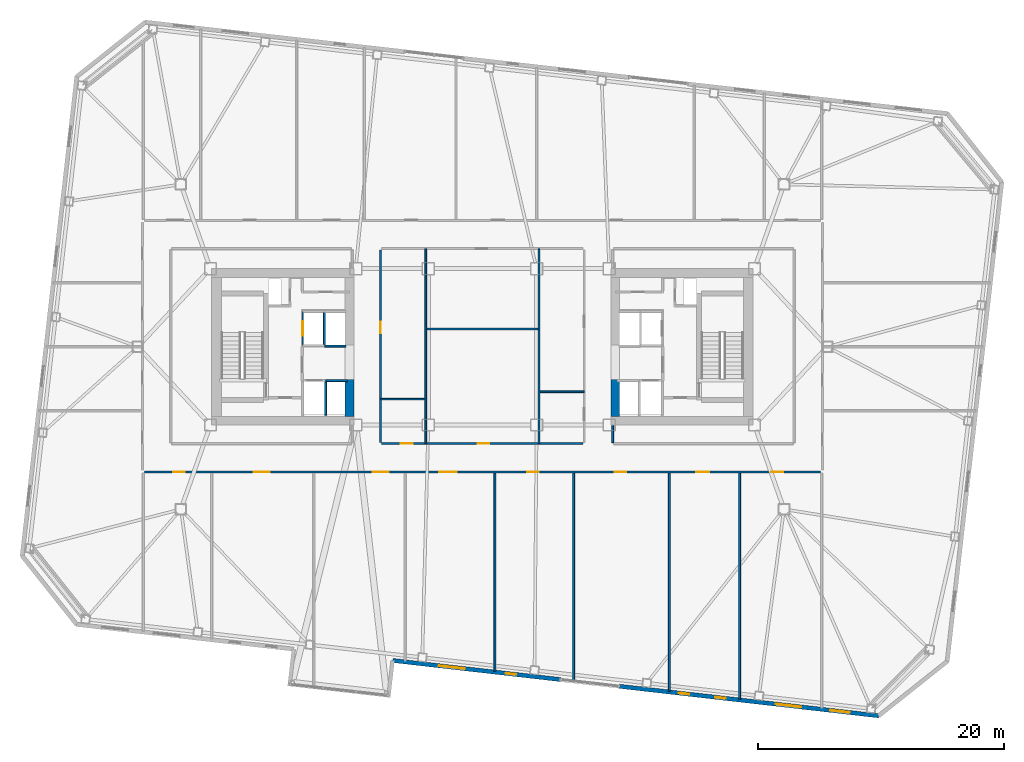
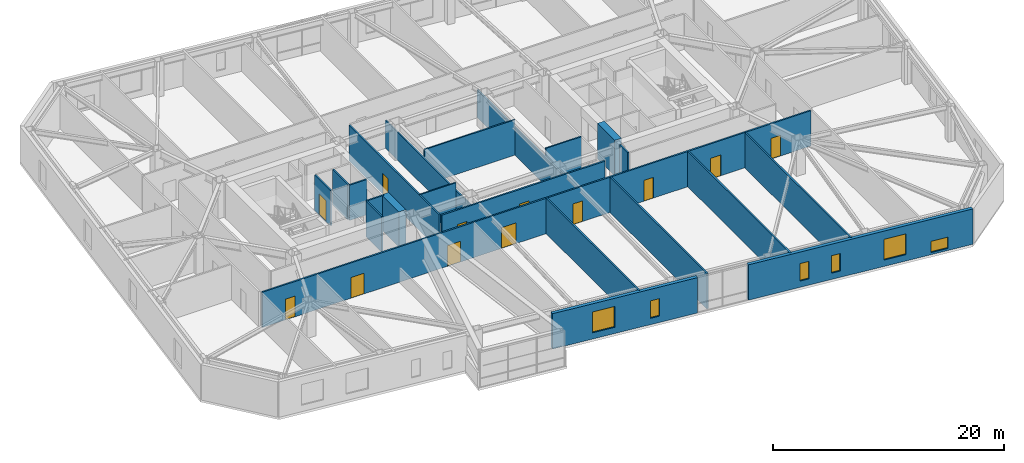
# One storey, part 13 of 22: 22 walls, 12 doors, 6 windows, 18 openings.
"""IFC4 building model written with IfcOpenShell, lengths in metres."""

from ifc_helpers import new_model, si_unit, direction, frame, frame_2d, origin, place, context, subcontext, project, spatial, rectangle, extrude, material, layer, layer_set, type_object, element, fill, save


model = new_model("IFC4")

# Units and contexts
model_context = context("Model", 3, precision=1e-05, world=origin(), true_north=direction((0.0, 1.0)))
body_context = subcontext(model_context, "Body", "Model", "MODEL_VIEW")
ifc_project = project(units=[si_unit("LENGTHUNIT", "METRE"), si_unit("AREAUNIT", "SQUARE_METRE"), si_unit("VOLUMEUNIT", "CUBIC_METRE"), si_unit("PLANEANGLEUNIT", "RADIAN"), si_unit("MASSUNIT", "GRAM", prefix="KILO")], contexts=[model_context])

# Site, building, storey
site_placement = place(None, origin())
site = spatial("IfcSite", under=ifc_project, at=site_placement, CompositionType="ELEMENT")
building_placement = place(site_placement, origin())
building = spatial("IfcBuilding", under=site, at=building_placement, Name="Tavrogorsk Clinical Tower", CompositionType="ELEMENT")
storey_placement = place(building_placement, frame((0.0, 0.0, 93.39990234375)))
storey = spatial("IfcBuildingStorey", under=building, at=storey_placement, Name="L20", CompositionType="ELEMENT", Elevation=93.39990234375)

# Walls
ifc_material_1 = material(Name="Lightweight concrete blockwork B15", Category="masonry")
ifc_layer_1 = layer(ifc_material_1, 0.139892578125)
ifc_layer_set_1 = layer_set([ifc_layer_1], Name="Lightweight concrete blockwork B15")
wall_type_1 = type_object("IfcWallType", Name="PartitionWall_140", PredefinedType="PARTITIONING", material=ifc_layer_set_1)
for number, where, z_axis, x_axis, name in (
    (1, (-4.60009765625, -7.864990234375, 0.0), (0.0, 0.0, 1.0), (0.0, 1.0, 0.0), "L20 Central Spine Partition 1"),
    (2, (4.60009765625, -7.864990234375, 0.0), (0.0, 0.0, 1.0), (0.0, 1.0, 0.0), "L20 Central Spine Partition 2"),
):
    element("IfcWall", number, at=place(storey_placement, frame(where, z_axis=z_axis, x_axis=x_axis)), inside=storey, type_object=wall_type_1, Name=name, PredefinedType="PARTITIONING", context=body_context, shape_type="SweptSolid", body=[
        extrude(rectangle(XDim=15.830078125, YDim=0.139892578125, at=frame_2d((7.9150390625, 0.0))), origin(), (0.0, 0.0, 1.0), 2.93505859375),
    ])
wall_1_placement = place(storey_placement, frame((-4.52490234375, 1.449951171875, 0.0), z_axis=(0.0, 0.0, 1.0), x_axis=(1.0, 0.0, 0.0)))
element("IfcWall", 3, at=wall_1_placement, inside=storey, type_object=wall_type_1, Name="L20 Central Spine Partition 3", PredefinedType="PARTITIONING", context=body_context, shape_type="SweptSolid", body=[
    extrude(rectangle(XDim=9.0498046875, YDim=0.139892578125, at=frame_2d((4.52490234375, 0.0))), origin(), (0.0, 0.0, 1.0), 3.739990234375),
])
for number, where, z_axis, x_axis, name in (
    (4, (-8.264892578125, -4.25, 0.0), (0.0, 0.0, 1.0), (1.0, 0.0, 0.0), "L20 Central Spine Partition 4"),
    (5, (4.675048828125, -3.64990234375, 0.0), (0.0, 0.0, 1.0), (1.0, 0.0, 0.0), "L20 Central Spine Partition 5"),
):
    element("IfcWall", number, at=place(storey_placement, frame(where, z_axis=z_axis, x_axis=x_axis)), inside=storey, type_object=wall_type_1, Name=name, PredefinedType="PARTITIONING", context=body_context, shape_type="SweptSolid", body=[
        extrude(rectangle(XDim=3.58984375, YDim=0.139892578125, at=frame_2d((1.794921875, 0.0))), origin(), (0.0, 0.0, 1.0), 3.739990234375),
    ])

# Wall, openings, doors
ifc_material_2 = material(Name="Lightweight concrete blockwork B15", Category="masonry")
ifc_layer_2 = layer(ifc_material_2, 0.159912109375)
ifc_layer_set_2 = layer_set([ifc_layer_2], Name="Lightweight concrete blockwork B15")
wall_type_2 = type_object("IfcWallType", Name="PartitionWall_160", PredefinedType="PARTITIONING", material=ifc_layer_set_2)
wall_2_placement = place(storey_placement, frame((27.465087890625, -10.179931640625, 0.0), z_axis=(0.0, 0.0, 1.0), x_axis=(-1.0, 0.0, 0.0)))
wall_2 = element("IfcWall", 6, at=wall_2_placement, inside=storey, type_object=wall_type_2, Name="L20 Corridor Partition 04", PredefinedType="PARTITIONING", context=body_context, shape_type="SweptSolid", body=[
    extrude(rectangle(XDim=54.93017578125, YDim=0.159912109375, at=frame_2d((27.465087890625, 0.0))), origin(), (0.0, 0.0, 1.0), 3.739990234375),
])
opening_1_placement = place(wall_2_placement, frame((51.656005859375, 0.0, 0.0)))
opening_1 = element("IfcOpeningElement", 7, at=opening_1_placement, cuts=wall_2, Name="Opening ID-02", PredefinedType="OPENING", context=body_context, shape_type="SweptSolid", body=[
    extrude(rectangle(XDim=0.949951171875, YDim=2.199951171875, at=frame_2d((0.47509765625, 1.10009765625))), frame((0.0, 0.08984375, 0.0), z_axis=(0.0, -1.0, 0.0), x_axis=(1.0, 0.0, 0.0)), (0.0, 0.0, 1.0), 0.179931640625),
])
opening_2_placement = place(wall_2_placement, frame((44.7470703125, 0.0, 0.0)))
opening_2 = element("IfcOpeningElement", 8, at=opening_2_placement, cuts=wall_2, Name="Opening ID-01", PredefinedType="OPENING", context=body_context, shape_type="SweptSolid", body=[
    extrude(rectangle(XDim=1.300048828125, YDim=2.199951171875, at=frame_2d((0.64990234375, 1.10009765625))), frame((0.0, 0.08984375, 0.0), z_axis=(0.0, -1.0, 0.0), x_axis=(1.0, 0.0, 0.0)), (0.0, 0.0, 1.0), 0.179931640625),
])
opening_3_placement = place(wall_2_placement, frame((35.090576171875, 0.0, 0.0)))
opening_3 = element("IfcOpeningElement", 9, at=opening_3_placement, cuts=wall_2, Name="Opening ID-01", PredefinedType="OPENING", context=body_context, shape_type="SweptSolid", body=[
    extrude(rectangle(XDim=1.300048828125, YDim=2.199951171875, at=frame_2d((0.64990234375, 1.10009765625))), frame((0.0, 0.08984375, 0.0), z_axis=(0.0, -1.0, 0.0), x_axis=(1.0, 0.0, 0.0)), (0.0, 0.0, 1.0), 0.179931640625),
])
opening_4_placement = place(wall_2_placement, frame((29.5400390625, 0.0, 0.0)))
opening_4 = element("IfcOpeningElement", 10, at=opening_4_placement, cuts=wall_2, Name="Opening ID-05", PredefinedType="OPENING", context=body_context, shape_type="SweptSolid", body=[
    extrude(rectangle(XDim=1.449951171875, YDim=2.199951171875, at=frame_2d((0.72509765625, 1.10009765625))), frame((0.0, 0.08984375, 0.0), z_axis=(0.0, -1.0, 0.0), x_axis=(1.0, 0.0, 0.0)), (0.0, 0.0, 1.0), 0.179931640625),
])
opening_5_placement = place(wall_2_placement, frame((22.87158203125, 0.0, 0.0)))
opening_5 = element("IfcOpeningElement", 11, at=opening_5_placement, cuts=wall_2, Name="Opening ID-02", PredefinedType="OPENING", context=body_context, shape_type="SweptSolid", body=[
    extrude(rectangle(XDim=0.949951171875, YDim=2.199951171875, at=frame_2d((0.47509765625, 1.10009765625))), frame((0.0, 0.08984375, 0.0), z_axis=(0.0, -1.0, 0.0), x_axis=(1.0, 0.0, 0.0)), (0.0, 0.0, 1.0), 0.179931640625),
])
opening_6_placement = place(wall_2_placement, frame((15.780029296875, 0.0, 0.0)))
opening_6 = element("IfcOpeningElement", 12, at=opening_6_placement, cuts=wall_2, Name="Opening ID-02", PredefinedType="OPENING", context=body_context, shape_type="SweptSolid", body=[
    extrude(rectangle(XDim=0.949951171875, YDim=2.199951171875, at=frame_2d((0.47509765625, 1.10009765625))), frame((0.0, 0.08984375, 0.0), z_axis=(0.0, -1.0, 0.0), x_axis=(1.0, 0.0, 0.0)), (0.0, 0.0, 1.0), 0.179931640625),
])
opening_7_placement = place(wall_2_placement, frame((9.030029296875, 0.0, 0.0)))
opening_7 = element("IfcOpeningElement", 13, at=opening_7_placement, cuts=wall_2, Name="Opening ID-04", PredefinedType="OPENING", context=body_context, shape_type="SweptSolid", body=[
    extrude(rectangle(XDim=1.050048828125, YDim=2.199951171875, at=frame_2d((0.52490234375, 1.10009765625))), frame((0.0, 0.08984375, 0.0), z_axis=(0.0, -1.0, 0.0), x_axis=(1.0, 0.0, 0.0)), (0.0, 0.0, 1.0), 0.179931640625),
])
opening_8_placement = place(wall_2_placement, frame((3.044189453125, 0.0, 0.0)))
opening_8 = element("IfcOpeningElement", 14, at=opening_8_placement, cuts=wall_2, Name="Opening ID-02", PredefinedType="OPENING", context=body_context, shape_type="SweptSolid", body=[
    extrude(rectangle(XDim=0.949951171875, YDim=2.199951171875, at=frame_2d((0.47509765625, 1.10009765625))), frame((0.0, 0.08984375, 0.0), z_axis=(0.0, -1.0, 0.0), x_axis=(1.0, 0.0, 0.0)), (0.0, 0.0, 1.0), 0.179931640625),
])
ifc_material_3 = material(Name="Antibacterial HPL consultation door on aluminium frame", Category="aluminium")
door_type_1 = type_object("IfcDoorType", Name="ConsultDoor_ID04_1050", OperationType="NOTDEFINED", PredefinedType="DOOR", material=ifc_material_3)
door_1_placement = place(opening_7_placement, origin())
door_1 = element("IfcDoor", 15, at=door_1_placement, inside=storey, type_object=door_type_1, Name="L20 South Outpatient Procedure Suite 04B Door", OperationType="SINGLE_SWING_LEFT", OverallHeight=2.199951171875, OverallWidth=1.050048828125, PredefinedType="DOOR", context=body_context, shape_type="SweptSolid", body=[
    extrude(rectangle(XDim=1.050048828125, YDim=2.199951171875, at=frame_2d((0.52490234375, 1.10009765625))), frame((0.0, 0.02490234375, 0.0), z_axis=(0.0, -1.0, 0.0), x_axis=(1.0, 0.0, 0.0)), (0.0, 0.0, 1.0), 0.050048828125),
])
fill(opening_7, door_1)
ifc_material_4 = material(Name="Antibacterial HPL bariatric ward double door")
door_type_2 = type_object("IfcDoorType", Name="DoubleWardDoor_ID05_1450", OperationType="DOUBLE_SWING_LEFT", PredefinedType="DOOR", material=ifc_material_4)
door_2_placement = place(opening_4_placement, origin())
door_2 = element("IfcDoor", 16, at=door_2_placement, inside=storey, type_object=door_type_2, Name="L20 South Surgical Step-Down Ward 03A Door", OperationType="DOUBLE_SWING_LEFT", OverallHeight=2.199951171875, OverallWidth=1.449951171875, PredefinedType="DOOR", context=body_context, shape_type="SweptSolid", body=[
    extrude(rectangle(XDim=1.449951171875, YDim=2.199951171875, at=frame_2d((0.72509765625, 1.10009765625))), frame((0.0, 0.02490234375, 0.0), z_axis=(0.0, -1.0, 0.0), x_axis=(1.0, 0.0, 0.0)), (0.0, 0.0, 1.0), 0.050048828125),
])
fill(opening_4, door_2)
ifc_material_5 = material(Name="Laminated timber leaf on aluminium frame", Category="wood")
door_type_3 = type_object("IfcDoorType", Name="InteriorDoor_ID02_950", OperationType="NOTDEFINED", PredefinedType="DOOR", material=ifc_material_5)
door_3_placement = place(opening_1_placement, origin())
door_3 = element("IfcDoor", 17, at=door_3_placement, inside=storey, type_object=door_type_3, Name="L20 South Staff Rest & Nourishment Lounge 01 Door", OperationType="SINGLE_SWING_LEFT", OverallHeight=2.199951171875, OverallWidth=0.949951171875, PredefinedType="DOOR", context=body_context, shape_type="SweptSolid", body=[
    extrude(rectangle(XDim=0.949951171875, YDim=2.199951171875, at=frame_2d((0.47509765625, 1.10009765625))), frame((0.0, 0.02490234375, 0.0), z_axis=(0.0, -1.0, 0.0), x_axis=(1.0, 0.0, 0.0)), (0.0, 0.0, 1.0), 0.050048828125),
])
fill(opening_1, door_3)
door_4_placement = place(opening_5_placement, origin())
door_4 = element("IfcDoor", 18, at=door_4_placement, inside=storey, type_object=door_type_3, Name="L20 South Clean Medication & Prep Room 03B Door", OperationType="SINGLE_SWING_LEFT", OverallHeight=2.199951171875, OverallWidth=0.949951171875, PredefinedType="DOOR", context=body_context, shape_type="SweptSolid", body=[
    extrude(rectangle(XDim=0.949951171875, YDim=2.199951171875, at=frame_2d((0.47509765625, 1.10009765625))), frame((0.0, 0.02490234375, 0.0), z_axis=(0.0, -1.0, 0.0), x_axis=(1.0, 0.0, 0.0)), (0.0, 0.0, 1.0), 0.050048828125),
])
fill(opening_5, door_4)
door_5_placement = place(opening_6_placement, origin())
door_5 = element("IfcDoor", 19, at=door_5_placement, inside=storey, type_object=door_type_3, Name="L20 South Soiled Utility & Sluice Room 04A Door", OperationType="SINGLE_SWING_RIGHT", OverallHeight=2.199951171875, OverallWidth=0.949951171875, PredefinedType="DOOR", context=body_context, shape_type="SweptSolid", body=[
    extrude(rectangle(XDim=0.949951171875, YDim=2.199951171875, at=frame_2d((0.47509765625, 1.10009765625))), frame((0.0, 0.02490234375, 0.0), z_axis=(0.0, -1.0, 0.0), x_axis=(1.0, 0.0, 0.0)), (0.0, 0.0, 1.0), 0.050048828125),
])
fill(opening_6, door_5)
door_6_placement = place(opening_8_placement, origin())
door_6 = element("IfcDoor", 20, at=door_6_placement, inside=storey, type_object=door_type_3, Name="L20 South Clinical Case Seminar Room 05 Door", OperationType="SINGLE_SWING_RIGHT", OverallHeight=2.199951171875, OverallWidth=0.949951171875, PredefinedType="DOOR", context=body_context, shape_type="SweptSolid", body=[
    extrude(rectangle(XDim=0.949951171875, YDim=2.199951171875, at=frame_2d((0.47509765625, 1.10009765625))), frame((0.0, 0.02490234375, 0.0), z_axis=(0.0, -1.0, 0.0), x_axis=(1.0, 0.0, 0.0)), (0.0, 0.0, 1.0), 0.050048828125),
])
fill(opening_8, door_6)
ifc_material_6 = material(Name="Antibacterial HPL medical leaf on aluminium frame", Category="aluminium")
door_type_4 = type_object("IfcDoorType", Name="WardBedDoor_ID01_1300", OperationType="NOTDEFINED", PredefinedType="DOOR", material=ifc_material_6)
door_7_placement = place(opening_2_placement, origin())
door_7 = element("IfcDoor", 21, at=door_7_placement, inside=storey, type_object=door_type_4, Name="L20 South Bariatric Observation Ward 02A Door", OperationType="SINGLE_SWING_RIGHT", OverallHeight=2.199951171875, OverallWidth=1.300048828125, PredefinedType="DOOR", context=body_context, shape_type="SweptSolid", body=[
    extrude(rectangle(XDim=1.300048828125, YDim=2.199951171875, at=frame_2d((0.64990234375, 1.10009765625))), frame((0.0, 0.02490234375, 0.0), z_axis=(0.0, -1.0, 0.0), x_axis=(1.0, 0.0, 0.0)), (0.0, 0.0, 1.0), 0.050048828125),
])
fill(opening_2, door_7)
door_8_placement = place(opening_3_placement, origin())
door_8 = element("IfcDoor", 22, at=door_8_placement, inside=storey, type_object=door_type_4, Name="L20 South Acute Medical Ward 02B Door", OperationType="SINGLE_SWING_LEFT", OverallHeight=2.199951171875, OverallWidth=1.300048828125, PredefinedType="DOOR", context=body_context, shape_type="SweptSolid", body=[
    extrude(rectangle(XDim=1.300048828125, YDim=2.199951171875, at=frame_2d((0.64990234375, 1.10009765625))), frame((0.0, 0.02490234375, 0.0), z_axis=(0.0, -1.0, 0.0), x_axis=(1.0, 0.0, 0.0)), (0.0, 0.0, 1.0), 0.050048828125),
])
fill(opening_3, door_8)

# Wall
wall_3_placement = place(storey_placement, frame((10.580078125, -6.419921875, 0.0), z_axis=(0.0, 0.0, 1.0), x_axis=(0.0, -1.0, 0.0)))
element("IfcWall", 23, at=wall_3_placement, inside=storey, type_object=wall_type_2, Name="L20 Corridor Partition 07", PredefinedType="PARTITIONING", context=body_context, shape_type="SweptSolid", body=[
    extrude(rectangle(XDim=1.364990234375, YDim=0.159912109375, at=frame_2d((0.6826171875, 0.0))), origin(), (0.0, 0.0, 1.0), 3.739990234375),
])

# Wall, opening, door
wall_4_placement = place(storey_placement, frame((-8.27001953125, 7.885009765625, 0.0), z_axis=(0.0, 0.0, 1.0), x_axis=(0.0, -1.0, 0.0)))
wall_4 = element("IfcWall", 24, at=wall_4_placement, inside=storey, type_object=wall_type_2, Name="L20 Corridor Partition 12", PredefinedType="PARTITIONING", context=body_context, shape_type="SweptSolid", body=[
    extrude(rectangle(XDim=15.669921875, YDim=0.159912109375, at=frame_2d((7.8349609375, 0.0))), origin(), (0.0, 0.0, 1.0), 3.739990234375),
])
opening_9_placement = place(wall_4_placement, frame((5.8291015625, 0.0, 0.0)))
opening_9 = element("IfcOpeningElement", 25, at=opening_9_placement, cuts=wall_4, Name="Opening ID-02", PredefinedType="OPENING", context=body_context, shape_type="SweptSolid", body=[
    extrude(rectangle(XDim=0.949951171875, YDim=2.199951171875, at=frame_2d((0.47509765625, 1.10009765625))), frame((0.0, 0.08984375, 0.0), z_axis=(0.0, -1.0, 0.0), x_axis=(1.0, 0.0, 0.0)), (0.0, 0.0, 1.0), 0.179931640625),
])
door_9_placement = place(opening_9_placement, origin())
door_9 = element("IfcDoor", 26, at=door_9_placement, inside=storey, type_object=door_type_3, Name="L20 Ward Nourishment Pantry Door", OperationType="SINGLE_SWING_RIGHT", OverallHeight=2.199951171875, OverallWidth=0.949951171875, PredefinedType="DOOR", context=body_context, shape_type="SweptSolid", body=[
    extrude(rectangle(XDim=0.949951171875, YDim=2.199951171875, at=frame_2d((0.47509765625, 1.10009765625))), frame((0.0, 0.02490234375, 0.0), z_axis=(0.0, -1.0, 0.0), x_axis=(1.0, 0.0, 0.0)), (0.0, 0.0, 1.0), 0.050048828125),
])
fill(opening_9, door_9)

# Wall, openings, doors
wall_5_placement = place(storey_placement, frame((-8.18505859375, -7.8701171875, 0.0), z_axis=(0.0, 0.0, 1.0), x_axis=(1.0, 0.0, 0.0)))
wall_5 = element("IfcWall", 27, at=wall_5_placement, inside=storey, type_object=wall_type_2, Name="L20 Corridor Partition 13", PredefinedType="PARTITIONING", context=body_context, shape_type="SweptSolid", body=[
    extrude(rectangle(XDim=16.3701171875, YDim=0.159912109375, at=frame_2d((8.18505859375, 0.0))), origin(), (0.0, 0.0, 1.0), 3.739990234375),
])
opening_10_placement = place(wall_5_placement, frame((1.55419921875, 0.0, 0.0)))
opening_10 = element("IfcOpeningElement", 28, at=opening_10_placement, cuts=wall_5, Name="Opening ID-02", PredefinedType="OPENING", context=body_context, shape_type="SweptSolid", body=[
    extrude(rectangle(XDim=0.949951171875, YDim=2.199951171875, at=frame_2d((0.47509765625, 1.10009765625))), frame((0.0, 0.08984375, 0.0), z_axis=(0.0, -1.0, 0.0), x_axis=(1.0, 0.0, 0.0)), (0.0, 0.0, 1.0), 0.179931640625),
])
opening_11_placement = place(wall_5_placement, frame((7.794921875, 0.0, 0.0)))
opening_11 = element("IfcOpeningElement", 29, at=opening_11_placement, cuts=wall_5, Name="Opening ID-02", PredefinedType="OPENING", context=body_context, shape_type="SweptSolid", body=[
    extrude(rectangle(XDim=0.949951171875, YDim=2.199951171875, at=frame_2d((0.47509765625, 1.10009765625))), frame((0.0, 0.08984375, 0.0), z_axis=(0.0, -1.0, 0.0), x_axis=(1.0, 0.0, 0.0)), (0.0, 0.0, 1.0), 0.179931640625),
])
door_10_placement = place(opening_10_placement, origin())
door_10 = element("IfcDoor", 30, at=door_10_placement, inside=storey, type_object=door_type_3, Name="L20 Accessible Patient Lavatory Door", OperationType="SINGLE_SWING_LEFT", OverallHeight=2.199951171875, OverallWidth=0.949951171875, PredefinedType="DOOR", context=body_context, shape_type="SweptSolid", body=[
    extrude(rectangle(XDim=0.949951171875, YDim=2.199951171875, at=frame_2d((0.47509765625, 1.10009765625))), frame((0.0, 0.02490234375, 0.0), z_axis=(0.0, -1.0, 0.0), x_axis=(1.0, 0.0, 0.0)), (0.0, 0.0, 1.0), 0.050048828125),
])
fill(opening_10, door_10)
door_11_placement = place(opening_11_placement, origin())
door_11 = element("IfcDoor", 31, at=door_11_placement, inside=storey, type_object=door_type_3, Name="L20 Multidisciplinary Conference Room Door", OperationType="SINGLE_SWING_LEFT", OverallHeight=2.199951171875, OverallWidth=0.949951171875, PredefinedType="DOOR", context=body_context, shape_type="SweptSolid", body=[
    extrude(rectangle(XDim=0.949951171875, YDim=2.199951171875, at=frame_2d((0.47509765625, 1.10009765625))), frame((0.0, 0.02490234375, 0.0), z_axis=(0.0, -1.0, 0.0), x_axis=(1.0, 0.0, 0.0)), (0.0, 0.0, 1.0), 0.050048828125),
])
fill(opening_11, door_11)

# Walls
wall_6_placement = place(storey_placement, frame((7.39990234375, -27.088623046875, 0.0), z_axis=(0.0, 0.0, 1.0), x_axis=(0.0, 1.0, 0.0)))
element("IfcWall", 32, at=wall_6_placement, inside=storey, type_object=wall_type_2, Name="L20 South Room Partition 3", PredefinedType="PARTITIONING", context=body_context, shape_type="SweptSolid", body=[
    extrude(rectangle(XDim=16.82373046875, YDim=0.159912109375, at=frame_2d((8.411865234375, 0.0))), origin(), (0.0, 0.0, 1.0), 3.739990234375),
])
wall_7_placement = place(storey_placement, frame((20.89990234375, -28.626708984375, 0.0), z_axis=(0.0, 0.0, 1.0), x_axis=(0.0, 1.0, 0.0)))
element("IfcWall", 33, at=wall_7_placement, inside=storey, type_object=wall_type_2, Name="L20 South Room Partition 4", PredefinedType="PARTITIONING", context=body_context, shape_type="SweptSolid", body=[
    extrude(rectangle(XDim=18.36181640625, YDim=0.159912109375, at=frame_2d((9.180908203125, 0.0))), origin(), (0.0, 0.0, 1.0), 3.739990234375),
])
wall_8_placement = place(storey_placement, frame((1.007080078125, -26.360107421875, 0.0), z_axis=(0.0, 0.0, 1.0), x_axis=(0.0, 1.0, 0.0)))
element("IfcWall", 34, at=wall_8_placement, inside=storey, type_object=wall_type_2, Name="L20 South Sub-Partition 3", PredefinedType="PARTITIONING", context=body_context, shape_type="SweptSolid", body=[
    extrude(rectangle(XDim=16.09521484375, YDim=0.159912109375, at=frame_2d((8.047607421875, 0.0))), origin(), (0.0, 0.0, 1.0), 3.739990234375),
])
wall_9_placement = place(storey_placement, frame((15.18994140625, -27.97607421875, 0.0), z_axis=(0.0, 0.0, 1.0), x_axis=(0.0, 1.0, 0.0)))
element("IfcWall", 35, at=wall_9_placement, inside=storey, type_object=wall_type_2, Name="L20 South Sub-Partition 4", PredefinedType="PARTITIONING", context=body_context, shape_type="SweptSolid", body=[
    extrude(rectangle(XDim=17.711181640625, YDim=0.159912109375, at=frame_2d((8.85546875, 0.0))), origin(), (0.0, 0.0, 1.0), 3.739990234375),
])

# Wall, openings, windows
ifc_material_7 = material(Name="Precast concrete B45 with limestone cladding", Category="masonry")
ifc_layer_3 = layer(ifc_material_7, 0.340087890625)
ifc_layer_set_3 = layer_set([ifc_layer_3], Name="Precast concrete B45 with limestone cladding")
wall_type_3 = type_object("IfcWallType", Name="PrecastLimestoneWall_340", PredefinedType="STANDARD", material=ifc_layer_set_3)
wall_10_placement = place(storey_placement, frame((-7.29345703125, -25.48486328125, 0.0), z_axis=(0.0, 0.0, 1.0), x_axis=(0.993571881197, -0.113202989776, 0.0)))
wall_10 = element("IfcWall", 36, at=wall_10_placement, inside=storey, type_object=wall_type_3, Name="L20 S Limestone Facade Wall 2", PredefinedType="STANDARD", context=body_context, shape_type="SweptSolid", body=[
    extrude(rectangle(XDim=13.72705078125, YDim=0.340087890625, at=frame_2d((6.863525390625, 0.0))), origin(), (0.0, 0.0, 1.0), 3.739990234375),
])
opening_12_placement = place(wall_10_placement, frame((3.789306640625, 0.0, 0.669921875)))
opening_12 = element("IfcOpeningElement", 37, at=opening_12_placement, cuts=wall_10, Name="Opening WN-03", PredefinedType="OPENING", context=body_context, shape_type="SweptSolid", body=[
    extrude(rectangle(XDim=2.10009765625, YDim=2.199951171875, at=frame_2d((1.050048828125, 1.10009765625))), frame((0.0, 0.179931640625, 0.0), z_axis=(0.0, -1.0, 0.0), x_axis=(1.0, 0.0, 0.0)), (0.0, 0.0, 1.0), 0.360107421875),
])
opening_13_placement = place(wall_10_placement, frame((9.2607421875, 0.0, 0.669921875)))
opening_13 = element("IfcOpeningElement", 38, at=opening_13_placement, cuts=wall_10, Name="Opening WN-06", PredefinedType="OPENING", context=body_context, shape_type="SweptSolid", body=[
    extrude(rectangle(XDim=0.85009765625, YDim=1.85009765625, at=frame_2d((0.425048828125, 0.925048828125))), frame((0.0, 0.179931640625, 0.0), z_axis=(0.0, -1.0, 0.0), x_axis=(1.0, 0.0, 0.0)), (0.0, 0.0, 1.0), 0.360107421875),
])
ifc_material_8 = material(Name="Thermally broken aluminium frame and triple IGU", Category="aluminium")
window_type_1 = type_object("IfcWindowType", Name="MullionSubWin_850x1850", PartitioningType="SINGLE_PANEL", PredefinedType="WINDOW", material=ifc_material_8)
window_1_placement = place(opening_13_placement, origin())
window_1 = element("IfcWindow", 39, at=window_1_placement, inside=storey, type_object=window_type_1, Name="L20 S Mullion Split Window 06B", OverallHeight=1.85009765625, OverallWidth=0.85009765625, PartitioningType="SINGLE_PANEL", PredefinedType="WINDOW", context=body_context, shape_type="SweptSolid", body=[
    extrude(rectangle(XDim=0.85009765625, YDim=1.85009765625, at=frame_2d((0.425048828125, 0.925048828125))), frame((0.0, 0.030029296875, 0.0), z_axis=(0.0, -1.0, 0.0), x_axis=(1.0, 0.0, 0.0)), (0.0, 0.0, 1.0), 0.06005859375),
])
fill(opening_13, window_1)
ifc_material_9 = material(Name="Thermally broken aluminium frame and triple IGU", Category="aluminium")
window_type_2 = type_object("IfcWindowType", Name="PatientTwinWin_2100x2200", PartitioningType="DOUBLE_PANEL_VERTICAL", PredefinedType="WINDOW", material=ifc_material_9)
window_2_placement = place(opening_12_placement, origin())
window_2 = element("IfcWindow", 40, at=window_2_placement, inside=storey, type_object=window_type_2, Name="L20 S Chicago Window 05", OverallHeight=2.199951171875, OverallWidth=2.10009765625, PartitioningType="SINGLE_PANEL", PredefinedType="WINDOW", context=body_context, shape_type="SweptSolid", body=[
    extrude(rectangle(XDim=2.10009765625, YDim=2.199951171875, at=frame_2d((1.050048828125, 1.10009765625))), frame((0.0, 0.030029296875, 0.0), z_axis=(0.0, -1.0, 0.0), x_axis=(1.0, 0.0, 0.0)), (0.0, 0.0, 1.0), 0.06005859375),
])
fill(opening_12, window_2)

wall_11_placement = place(storey_placement, frame((11.114501953125, -27.582275390625, 0.0), z_axis=(0.0, 0.0, 1.0), x_axis=(0.993572655904, -0.113196190044, 0.0)))
wall_11 = element("IfcWall", 41, at=wall_11_placement, inside=storey, type_object=wall_type_3, Name="L20 S Limestone Facade Wall 3", PredefinedType="STANDARD", context=body_context, shape_type="SweptSolid", body=[
    extrude(rectangle(XDim=21.222900390625, YDim=0.340087890625, at=frame_2d((10.611328125, 0.0))), origin(), (0.0, 0.0, 1.0), 3.739990234375),
])
opening_14_placement = place(wall_11_placement, frame((4.866455078125, 0.0, 0.669921875)))
opening_14 = element("IfcOpeningElement", 42, at=opening_14_placement, cuts=wall_11, Name="Opening WN-06", PredefinedType="OPENING", context=body_context, shape_type="SweptSolid", body=[
    extrude(rectangle(XDim=0.85009765625, YDim=1.85009765625, at=frame_2d((0.425048828125, 0.925048828125))), frame((0.0, 0.179931640625, 0.0), z_axis=(0.0, -1.0, 0.0), x_axis=(1.0, 0.0, 0.0)), (0.0, 0.0, 1.0), 0.360107421875),
])
opening_15_placement = place(wall_11_placement, frame((7.837890625, 0.0, 0.669921875)))
opening_15 = element("IfcOpeningElement", 43, at=opening_15_placement, cuts=wall_11, Name="Opening WN-06", PredefinedType="OPENING", context=body_context, shape_type="SweptSolid", body=[
    extrude(rectangle(XDim=0.85009765625, YDim=1.85009765625, at=frame_2d((0.425048828125, 0.925048828125))), frame((0.0, 0.179931640625, 0.0), z_axis=(0.0, -1.0, 0.0), x_axis=(1.0, 0.0, 0.0)), (0.0, 0.0, 1.0), 0.360107421875),
])
opening_16_placement = place(wall_11_placement, frame((12.793701171875, 0.0, 0.669921875)))
opening_16 = element("IfcOpeningElement", 44, at=opening_16_placement, cuts=wall_11, Name="Opening WN-03", PredefinedType="OPENING", context=body_context, shape_type="SweptSolid", body=[
    extrude(rectangle(XDim=2.10009765625, YDim=2.199951171875, at=frame_2d((1.050048828125, 1.10009765625))), frame((0.0, 0.179931640625, 0.0), z_axis=(0.0, -1.0, 0.0), x_axis=(1.0, 0.0, 0.0)), (0.0, 0.0, 1.0), 0.360107421875),
])
opening_17_placement = place(wall_11_placement, frame((17.264892578125, 0.0, 0.219970703125)))
opening_17 = element("IfcOpeningElement", 45, at=opening_17_placement, cuts=wall_11, Name="Opening WN-09", PredefinedType="OPENING", context=body_context, shape_type="SweptSolid", body=[
    extrude(rectangle(XDim=1.60009765625, YDim=1.199951171875, at=frame_2d((0.800048828125, 0.60009765625))), frame((0.0, 0.179931640625, 0.0), z_axis=(0.0, -1.0, 0.0), x_axis=(1.0, 0.0, 0.0)), (0.0, 0.0, 1.0), 0.360107421875),
])
ifc_material_10 = material(Name="Thermally broken aluminium frame and triple IGU", Category="aluminium")
window_type_3 = type_object("IfcWindowType", Name="LowHeadTransWin_1600x1200", PartitioningType="DOUBLE_PANEL_VERTICAL", PredefinedType="WINDOW", material=ifc_material_10)
window_3_placement = place(opening_17_placement, origin())
window_3 = element("IfcWindow", 46, at=window_3_placement, inside=storey, type_object=window_type_3, Name="L20 S Chicago Window 10", OverallHeight=1.199951171875, OverallWidth=1.60009765625, PartitioningType="SINGLE_PANEL", PredefinedType="WINDOW", context=body_context, shape_type="SweptSolid", body=[
    extrude(rectangle(XDim=1.60009765625, YDim=1.199951171875, at=frame_2d((0.800048828125, 0.60009765625))), frame((0.0, 0.030029296875, 0.0), z_axis=(0.0, -1.0, 0.0), x_axis=(1.0, 0.0, 0.0)), (0.0, 0.0, 1.0), 0.06005859375),
])
fill(opening_17, window_3)
window_4_placement = place(opening_14_placement, origin())
window_4 = element("IfcWindow", 47, at=window_4_placement, inside=storey, type_object=window_type_1, Name="L20 S Mullion Split Window 07B", OverallHeight=1.85009765625, OverallWidth=0.85009765625, PartitioningType="SINGLE_PANEL", PredefinedType="WINDOW", context=body_context, shape_type="SweptSolid", body=[
    extrude(rectangle(XDim=0.85009765625, YDim=1.85009765625, at=frame_2d((0.425048828125, 0.925048828125))), frame((0.0, 0.030029296875, 0.0), z_axis=(0.0, -1.0, 0.0), x_axis=(1.0, 0.0, 0.0)), (0.0, 0.0, 1.0), 0.06005859375),
])
fill(opening_14, window_4)
window_5_placement = place(opening_15_placement, origin())
window_5 = element("IfcWindow", 48, at=window_5_placement, inside=storey, type_object=window_type_1, Name="L20 S Mullion Split Window 08A", OverallHeight=1.85009765625, OverallWidth=0.85009765625, PartitioningType="SINGLE_PANEL", PredefinedType="WINDOW", context=body_context, shape_type="SweptSolid", body=[
    extrude(rectangle(XDim=0.85009765625, YDim=1.85009765625, at=frame_2d((0.425048828125, 0.925048828125))), frame((0.0, 0.030029296875, 0.0), z_axis=(0.0, -1.0, 0.0), x_axis=(1.0, 0.0, 0.0)), (0.0, 0.0, 1.0), 0.06005859375),
])
fill(opening_15, window_5)
window_6_placement = place(opening_16_placement, origin())
window_6 = element("IfcWindow", 49, at=window_6_placement, inside=storey, type_object=window_type_2, Name="L20 S Chicago Window 09", OverallHeight=2.199951171875, OverallWidth=2.10009765625, PartitioningType="SINGLE_PANEL", PredefinedType="WINDOW", context=body_context, shape_type="SweptSolid", body=[
    extrude(rectangle(XDim=2.10009765625, YDim=2.199951171875, at=frame_2d((1.050048828125, 1.10009765625))), frame((0.0, 0.030029296875, 0.0), z_axis=(0.0, -1.0, 0.0), x_axis=(1.0, 0.0, 0.0)), (0.0, 0.0, 1.0), 0.06005859375),
])
fill(opening_16, window_6)

# Wall, opening, door
ifc_material_11 = material(Name="Lightweight concrete blockwork B25", Category="masonry")
ifc_layer_4 = layer(ifc_material_11, 0.159912109375)
ifc_layer_set_4 = layer_set([ifc_layer_4], Name="Lightweight concrete blockwork B25")
wall_type_4 = type_object("IfcWallType", Name="ShaftWall_160", PredefinedType="PARTITIONING", material=ifc_layer_set_4)
wall_12_placement = place(storey_placement, frame((-14.60009765625, 0.1201171875, 0.0), z_axis=(0.0, 0.0, 1.0), x_axis=(0.0, 1.0, 0.0)))
wall_12 = element("IfcWall", 50, at=wall_12_placement, inside=storey, type_object=wall_type_4, Name="L20 FFL-W Firefighting Lift Front Wall", PredefinedType="PARTITIONING", context=body_context, shape_type="SweptSolid", body=[
    extrude(rectangle(XDim=2.739990234375, YDim=0.159912109375, at=frame_2d((1.3701171875, 0.0))), origin(), (0.0, 0.0, 1.0), 3.739990234375),
])
opening_18_placement = place(wall_12_placement, frame((0.77001953125, 0.0, 0.0)))
opening_18 = element("IfcOpeningElement", 51, at=opening_18_placement, cuts=wall_12, Name="Opening LD", PredefinedType="OPENING", context=body_context, shape_type="SweptSolid", body=[
    extrude(rectangle(XDim=1.199951171875, YDim=2.199951171875, at=frame_2d((0.60009765625, 1.10009765625))), frame((0.0, 0.08984375, 0.0), z_axis=(0.0, -1.0, 0.0), x_axis=(1.0, 0.0, 0.0)), (0.0, 0.0, 1.0), 0.179931640625),
])
ifc_material_12 = material(Name="Brushed stainless steel AISI 304 sliding doors", Category="steel")
door_type_5 = type_object("IfcDoorType", Name="LiftLandingDoor_LD_1200", OperationType="SLIDING_TO_LEFT", PredefinedType="DOOR", material=ifc_material_12)
door_12_placement = place(opening_18_placement, origin())
door_12 = element("IfcDoor", 52, at=door_12_placement, inside=storey, type_object=door_type_5, Name="L20 FFL-W Sliding Lift Landing Door", OperationType="SLIDING_TO_LEFT", OverallHeight=2.199951171875, OverallWidth=1.199951171875, PredefinedType="DOOR", context=body_context, shape_type="SweptSolid", body=[
    extrude(rectangle(XDim=1.199951171875, YDim=2.199951171875, at=frame_2d((0.60009765625, 1.10009765625))), frame((0.0, 0.02490234375, 0.0), z_axis=(0.0, -1.0, 0.0), x_axis=(1.0, 0.0, 0.0)), (0.0, 0.0, 1.0), 0.050048828125),
])
fill(opening_18, door_12)

# Walls
wall_13_placement = place(storey_placement, frame((-12.840087890625, 0.179931640625, 0.0), z_axis=(0.0, 0.0, 1.0), x_axis=(0.0, 1.0, 0.0)))
element("IfcWall", 53, at=wall_13_placement, inside=storey, type_object=wall_type_4, Name="L20 FFL-W Shaft Back Wall", PredefinedType="PARTITIONING", context=body_context, shape_type="SweptSolid", body=[
    extrude(rectangle(XDim=2.6201171875, YDim=0.159912109375, at=frame_2d((1.31005859375, 0.0))), origin(), (0.0, 0.0, 1.0), 3.739990234375),
])
wall_14_placement = place(storey_placement, frame((-12.75, -5.5400390625, 0.0), z_axis=(0.0, 0.0, 1.0), x_axis=(0.0, 1.0, 0.0)))
element("IfcWall", 54, at=wall_14_placement, inside=storey, type_object=wall_type_4, Name="L20 LP-L1 Lift Hoistway Divider Wall", PredefinedType="PARTITIONING", context=body_context, shape_type="SweptSolid", body=[
    extrude(rectangle(XDim=2.699951171875, YDim=0.159912109375, at=frame_2d((1.35009765625, 0.0))), origin(), (0.0, 0.0, 1.0), 3.739990234375),
])
wall_15_placement = place(storey_placement, frame((-12.72998046875, -2.75, 0.0), z_axis=(0.0, 0.0, 1.0), x_axis=(1.0, 0.0, 0.0)))
element("IfcWall", 55, at=wall_15_placement, inside=storey, type_object=wall_type_4, Name="L20 LP-M1 Lift Shaft Portal Wall", PredefinedType="PARTITIONING", context=body_context, shape_type="SweptSolid", body=[
    extrude(rectangle(XDim=1.760009765625, YDim=0.159912109375, at=frame_2d((0.8798828125, 0.0))), origin(), (0.0, 0.0, 1.0), 3.739990234375),
])
wall_16_placement = place(storey_placement, frame((-12.820068359375, 0.06005859375, 0.0), z_axis=(0.0, 0.0, 1.0), x_axis=(1.0, 0.0, 0.0)))
element("IfcWall", 56, at=wall_16_placement, inside=storey, type_object=wall_type_4, Name="L20 LP-H1 High-Zone Lift Portal Wall", PredefinedType="PARTITIONING", context=body_context, shape_type="SweptSolid", body=[
    extrude(rectangle(XDim=1.719970703125, YDim=0.159912109375, at=frame_2d((0.85986328125, 0.0))), origin(), (0.0, 0.0, 1.0), 3.739990234375),
])
ifc_material_13 = material(Name="Concrete B80", Category="concrete")
ifc_layer_5 = layer(ifc_material_13, 0.699951171875)
ifc_layer_set_5 = layer_set([ifc_layer_5], Name="Concrete B80")
wall_type_5 = type_object("IfcWallType", Name="ShearWall_700", PredefinedType="SHEAR", material=ifc_layer_set_5)
for number, where, z_axis, x_axis, name in (
    (57, (-10.800048828125, -5.64990234375, 0.0), (0.0, 0.0, 1.0), (0.0, 1.0, 0.0), "L20 Core West Inner South Pier"),
    (58, (10.800048828125, -5.64990234375, 0.0), (0.0, 0.0, 1.0), (0.0, 1.0, 0.0), "L20 Core East Inner South Pier"),
):
    element("IfcWall", number, at=place(storey_placement, frame(where, z_axis=z_axis, x_axis=x_axis)), inside=storey, type_object=wall_type_5, Name=name, PredefinedType="SHEAR", context=body_context, shape_type="SweptSolid", body=[
        extrude(rectangle(XDim=3.0, YDim=0.699951171875, at=frame_2d((1.5, 0.0))), origin(), (0.0, 0.0, 1.0), 3.739990234375),
    ])

save(model, "model.ifc")
